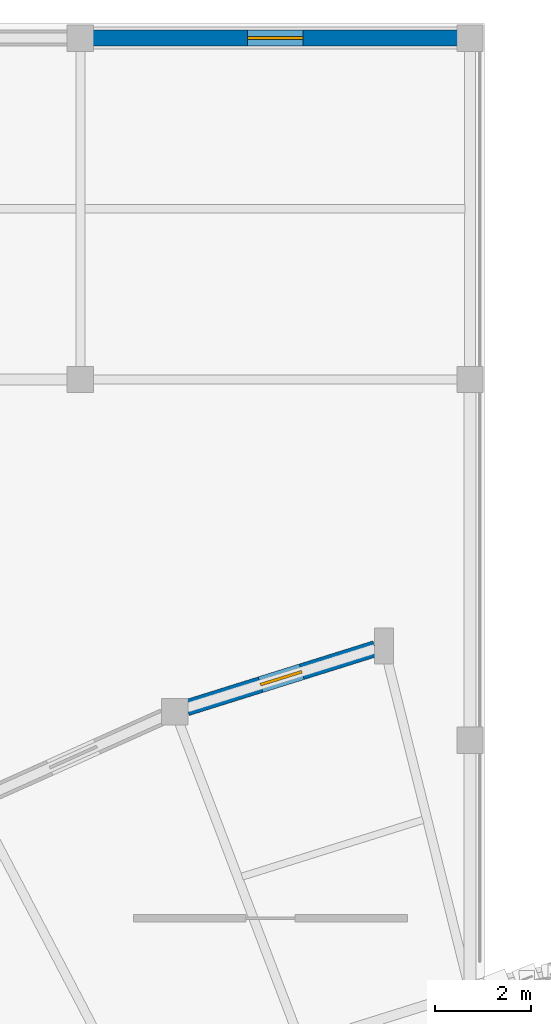
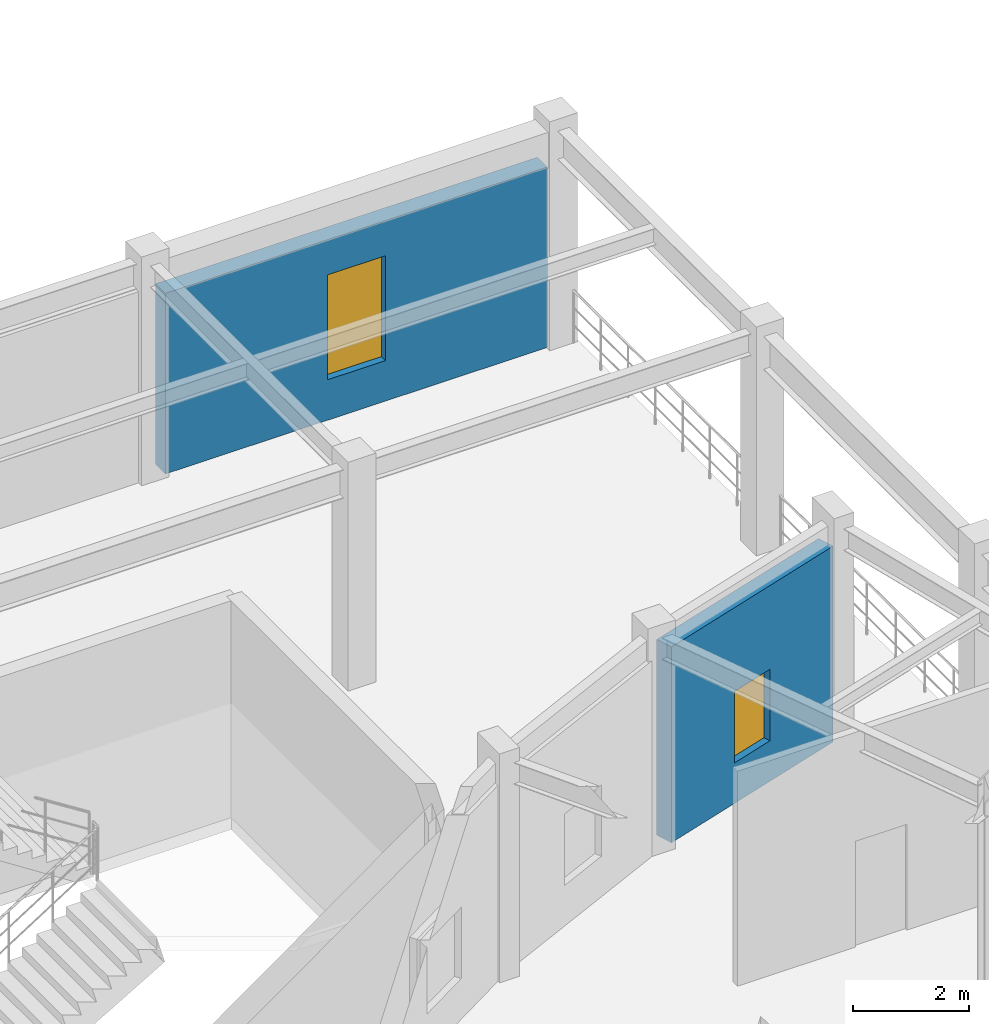
# One storey, part 109 of 144: 2 walls, 2 windows, 2 openings.
"""IFC4 building model written with IfcOpenShell, lengths in metres."""

import ifcopenshell
import ifcopenshell.guid

model = None  # the IFC model being written
_history = None  # IfcOwnerHistory: only IFC2X3 demands one
_inside = {}  # id of a spatial element -> (the spatial element, [elements in it])
_under = {}  # id of a project, library or spatial element -> (it, [spatial elements below it])
_declared = {}  # id of a project -> (the project, [libraries it declares])
_typed = {}  # id of a type object -> (the type object, [elements of that type])
_made_of = {}  # id of a material, layer set ... -> (it, [elements and type objects made of it])


def new_model(schema):
    """Start an empty IFC model of exactly this schema.

    Asked for "IFC4X3", IfcOpenShell would pick the latest addendum, in which some entities
    have other attributes; the version numbers below select the first issue.
    IFC2X3 requires an IfcOwnerHistory on every rooted entity: one is made here for all.
    """
    global model, _history
    if schema == "IFC4X3":
        model = ifcopenshell.file(schema_version=(4, 3, 0, 0))
    else:
        model = ifcopenshell.file(schema=schema)
    _inside.clear()
    _under.clear()
    _declared.clear()
    _typed.clear()
    _made_of.clear()
    _history = None
    if model.schema == "IFC2X3":
        org = make("IfcOrganization", Name="unknown")
        user = make(
            "IfcPersonAndOrganization",
            ThePerson=make("IfcPerson", FamilyName="unknown"),
            TheOrganization=org,
        )
        app = make(
            "IfcApplication",
            ApplicationDeveloper=org,
            Version="unknown",
            ApplicationFullName="unknown",
            ApplicationIdentifier="unknown",
        )
        _history = make(
            "IfcOwnerHistory",
            OwningUser=user,
            OwningApplication=app,
            ChangeAction="ADDED",
            CreationDate=0,
        )
    return model


def make(cls, **values):
    """One entity of the class cls with the attributes given. An attribute that is None is left unset."""
    return model.create_entity(
        cls, **{name: value for name, value in values.items() if value is not None}
    )


def rooted(cls, **values):
    """An entity with a GlobalId (a new one), such as an element, a storey or a relation."""
    return make(cls, GlobalId=ifcopenshell.guid.new(), OwnerHistory=_history, **values)


def si_unit(unit_type, name, prefix=None):
    """IfcSIUnit, for example si_unit("LENGTHUNIT", "METRE", prefix="MILLI")."""
    return make("IfcSIUnit", UnitType=unit_type, Prefix=prefix, Name=name)


def assignment(units):
    """IfcUnitAssignment: the units of a project."""
    return None if units is None else make("IfcUnitAssignment", Units=units)


def point(xyz):
    """IfcCartesianPoint."""
    return None if xyz is None else make("IfcCartesianPoint", Coordinates=xyz)


def direction(xyz):
    """IfcDirection."""
    return None if xyz is None else make("IfcDirection", DirectionRatios=xyz)


def frame(location, z_axis=None, x_axis=None):
    """IfcAxis2Placement3D, a coordinate frame: its origin and axes. An axis left out is left unset."""
    return make(
        "IfcAxis2Placement3D",
        Location=point(location),
        Axis=direction(z_axis),
        RefDirection=direction(x_axis),
    )


def frame_2d(location, x_axis=None):
    """IfcAxis2Placement2D, a coordinate frame in the plane: its origin and x axis."""
    return make(
        "IfcAxis2Placement2D", Location=point(location), RefDirection=direction(x_axis)
    )


def origin():
    """The frame at (0, 0, 0) with its axes left unset."""
    return frame((0.0, 0.0, 0.0))


def place(relative_to, where):
    """IfcLocalPlacement: puts the frame where relative to a parent placement (None: the world)."""
    return make(
        "IfcLocalPlacement", PlacementRelTo=relative_to, RelativePlacement=where
    )


def context(
    kind, dimensions, precision=None, world=None, true_north=None, identifier=None
):
    """IfcGeometricRepresentationContext, for example the 3D "Model" context."""
    return make(
        "IfcGeometricRepresentationContext",
        ContextIdentifier=identifier,
        ContextType=kind,
        CoordinateSpaceDimension=dimensions,
        Precision=precision,
        WorldCoordinateSystem=world,
        TrueNorth=true_north,
    )


def subcontext(parent, identifier, kind, view, scale=None):
    """IfcGeometricRepresentationSubContext, for example "Body" below "Model"."""
    return make(
        "IfcGeometricRepresentationSubContext",
        ContextIdentifier=identifier,
        ContextType=kind,
        ParentContext=parent,
        TargetScale=scale,
        TargetView=view,
    )


def project(units=None, contexts=None):
    """IfcProject with its units and contexts."""
    return rooted(
        "IfcProject",
        Name="project",
        RepresentationContexts=contexts,
        UnitsInContext=assignment(units),
    )


def spatial(cls, under=None, at=None, **own):
    """A site, building, storey or space (cls), placed at a placement, below another one or the project."""
    s = rooted(cls, ObjectPlacement=at, **own)
    if under is not None:
        _under.setdefault(under.id(), (under, []))[1].append(s)
    return s


def profile(cls, at=None, kind="AREA", **sizes):
    """A parametric profile (cls). Its sizes go by their IFC names, for example OverallWidth=200.0."""
    return make(cls, ProfileType=kind, Position=at, **sizes)


def rectangle(**sizes):
    """IfcRectangleProfileDef."""
    return profile("IfcRectangleProfileDef", **sizes)


def extrude(swept, where, along, depth):
    """IfcExtrudedAreaSolid: the profile swept, set in the frame where, extruded along a direction by depth."""
    return make(
        "IfcExtrudedAreaSolid",
        SweptArea=swept,
        Position=where,
        ExtrudedDirection=direction(along),
        Depth=depth,
    )


def shape(context_of_items, identifier, shape_type, items):
    """IfcShapeRepresentation: the items that make up one representation, for example the "Body"."""
    return make(
        "IfcShapeRepresentation",
        ContextOfItems=context_of_items,
        RepresentationIdentifier=identifier,
        RepresentationType=shape_type,
        Items=items,
    )


def material(Name=None, Category=None):
    """IfcMaterial."""
    return make("IfcMaterial", Name=Name, Category=Category)


def layer(
    of_material, thickness, ventilated=None, Name=None, Category=None, Priority=None
):
    """IfcMaterialLayer: one layer of a wall or slab, of a material (None: an air gap)."""
    return make(
        "IfcMaterialLayer",
        Material=of_material,
        LayerThickness=thickness,
        IsVentilated=ventilated,
        Name=Name,
        Category=Category,
        Priority=Priority,
    )


def layer_set(layers, Name=None):
    """IfcMaterialLayerSet."""
    return make("IfcMaterialLayerSet", MaterialLayers=layers, LayerSetName=Name)


def made_of(thing, what):
    """Note that an element or type object is made of a material, layer set ...; save() writes the relation."""
    if what is not None:
        _made_of.setdefault(what.id(), (what, []))[1].append(thing)
    return thing


def type_object(cls, material=None, **own):
    """A type object (cls), such as IfcWallType, which elements share."""
    return made_of(rooted(cls, **own), material)


def element(
    cls,
    number,
    at=None,
    inside=None,
    cuts=None,
    type_object=None,
    material=None,
    context=None,
    identifier="Body",
    shape_type=None,
    held_by="IfcProductDefinitionShape",
    body=None,
    shapes=None,
    **own,
):
    """One element of the class cls, such as IfcWall. Its Tag is "e" and its number.

    at: its placement. inside: the storey or other place that contains it. cuts: it is an
    opening in that element (IfcRelVoidsElement). A single representation is given by context,
    identifier, shape_type and body (its items); several are given by shapes. held_by: the class
    of the entity that holds the representations. save() writes the other relations.
    """
    e = rooted(cls, Tag="e%d" % number, ObjectPlacement=at, **own)
    if body is not None:
        shapes = [shape(context, identifier, shape_type, body)]
    if shapes is not None:
        e.Representation = make(held_by, Representations=shapes)
    if inside is not None:
        _inside.setdefault(inside.id(), (inside, []))[1].append(e)
    if cuts is not None:
        rooted(
            "IfcRelVoidsElement", RelatingBuildingElement=cuts, RelatedOpeningElement=e
        )
    if type_object is not None:
        _typed.setdefault(type_object.id(), (type_object, []))[1].append(e)
    return made_of(e, material)


def fill(opening, filler):
    """IfcRelFillsElement: the door or window that sits in an opening."""
    return rooted(
        "IfcRelFillsElement",
        RelatingOpeningElement=opening,
        RelatedBuildingElement=filler,
    )


def aggregate(whole, parts):
    """IfcRelAggregates: a whole, such as a stair, and the parts it consists of."""
    return rooted("IfcRelAggregates", RelatingObject=whole, RelatedObjects=parts)


def save(model, path):
    """Write the relations noted so far, then the file.

    IfcRelAggregates (storeys below a building ...), IfcRelContainedInSpatialStructure (elements
    in a storey), IfcRelDefinesByType, IfcRelAssociatesMaterial and IfcRelDeclares: one each for
    every whole, place, type object, material and project.
    """
    for whole, parts in _under.values():
        aggregate(whole, parts)
    for where, things in _inside.values():
        rooted(
            "IfcRelContainedInSpatialStructure",
            RelatedElements=things,
            RelatingStructure=where,
        )
    for kind, things in _typed.values():
        rooted("IfcRelDefinesByType", RelatedObjects=things, RelatingType=kind)
    for what, things in _made_of.values():
        rooted("IfcRelAssociatesMaterial", RelatedObjects=things, RelatingMaterial=what)
    for by, libraries in _declared.values():
        rooted("IfcRelDeclares", RelatingContext=by, RelatedDefinitions=libraries)
    model.write(path)


model = new_model("IFC4")

# Units and contexts
model_context = context("Model", 3, precision=1e-05, world=origin(), true_north=direction((0.0, 1.0)))
body_context = subcontext(model_context, "Body", "Model", "MODEL_VIEW")
ifc_project = project(units=[si_unit("LENGTHUNIT", "METRE"), si_unit("AREAUNIT", "SQUARE_METRE"), si_unit("VOLUMEUNIT", "CUBIC_METRE"), si_unit("PLANEANGLEUNIT", "RADIAN"), si_unit("MASSUNIT", "GRAM", prefix="KILO")], contexts=[model_context])

# Site, building, storey
site_placement = place(None, origin())
site = spatial("IfcSite", under=ifc_project, at=site_placement, CompositionType="ELEMENT")
building_placement = place(site_placement, origin())
building = spatial("IfcBuilding", under=site, at=building_placement, Name="Cinderbank Siding Concert Hall", CompositionType="ELEMENT")
storey_placement = place(building_placement, frame((0.0, 0.0, 5.39990234375)))
storey = spatial("IfcBuildingStorey", under=building, at=storey_placement, Name="L02", CompositionType="ELEMENT", Elevation=5.39990234375)

# Wall, opening, window
ifc_material_1 = material(Name="Clinker clay brickwork masonry AS 3700 (20 MPa)", Category="masonry")
ifc_layer = layer(ifc_material_1, 0.340087890625)
ifc_layer_set = layer_set([ifc_layer], Name="Clinker clay brickwork masonry AS 3700 (20 MPa)")
wall_type = type_object("IfcWallType", Name="WL-07 Exterior Wall 340mm", PredefinedType="STANDARD", material=ifc_layer_set)
wall_1_placement = place(storey_placement, frame((46.53369140625, 105.2041015625, 0.0), z_axis=(0.0, 0.0, 1.0), x_axis=(-0.954237600376, -0.299049497622, 0.0)))
wall_1 = element("IfcWall", 1, at=wall_1_placement, inside=storey, type_object=wall_type, Name="L02 Facade Wall EW-WOUT-L02-01", PredefinedType="STANDARD", context=body_context, shape_type="SweptSolid", body=[
    extrude(rectangle(XDim=4.109619140625, YDim=0.340087890625, at=frame_2d((2.0546875, 0.0))), origin(), (0.0, 0.0, 1.0), 4.107177734375),
])
opening_1_placement = place(wall_1_placement, frame((1.60498046875, 0.0, 0.85009765625)))
opening_1 = element("IfcOpeningElement", 2, at=opening_1_placement, cuts=wall_1, Name="Opening WN-25", PredefinedType="OPENING", context=body_context, shape_type="SweptSolid", body=[
    extrude(rectangle(XDim=0.89990234375, YDim=1.5, at=frame_2d((0.449951171875, 0.75))), frame((0.0, 0.18212890625, 0.0), z_axis=(0.0, -1.0, 0.0), x_axis=(1.0, 0.0, 0.0)), (0.0, 0.0, 1.0), 0.364013671875),
])
ifc_material_2 = material(Name="Double-glazed laminated acoustic glass", Category="glass")
window_type_1 = type_object("IfcWindowType", Name="WN-25 Acoustic Casement Window 900x1500", PartitioningType="DOUBLE_PANEL_VERTICAL", PredefinedType="WINDOW", material=ifc_material_2)
window_1_placement = place(opening_1_placement, origin())
window_1 = element("IfcWindow", 3, at=window_1_placement, inside=storey, type_object=window_type_1, Name="L02 Facade Window #11", OverallHeight=1.5, OverallWidth=0.89990234375, PartitioningType="DOUBLE_PANEL_VERTICAL", PredefinedType="WINDOW", context=body_context, shape_type="SweptSolid", body=[
    extrude(rectangle(XDim=0.89990234375, YDim=1.5, at=frame_2d((0.449951171875, 0.75))), frame((0.0, 0.030029296875, 0.0), z_axis=(0.0, -1.0, 0.0), x_axis=(1.0, 0.0, 0.0)), (0.0, 0.0, 1.0), 0.06005859375),
])
fill(opening_1, window_1)

wall_2_placement = place(storey_placement, frame((40.659912109375, 117.89990234375, 0.0), z_axis=(0.0, 0.0, 1.0), x_axis=(1.0, 0.0, 0.0)))
wall_2 = element("IfcWall", 4, at=wall_2_placement, inside=storey, type_object=wall_type, Name="L02 Facade Wall EW-NW-N3-L02", PredefinedType="STANDARD", context=body_context, shape_type="SweptSolid", body=[
    extrude(rectangle(XDim=7.580078125, YDim=0.340087890625, at=frame_2d((3.7900390625, 0.0))), origin(), (0.0, 0.0, 1.0), 3.787109375),
])
opening_2_placement = place(wall_2_placement, frame((3.215087890625, 0.0, 0.85009765625)))
opening_2 = element("IfcOpeningElement", 5, at=opening_2_placement, cuts=wall_2, Name="Opening WN-04", PredefinedType="OPENING", context=body_context, shape_type="SweptSolid", body=[
    extrude(rectangle(XDim=1.14990234375, YDim=2.199951171875, at=frame_2d((0.574951171875, 1.10009765625))), frame((0.0, 0.18212890625, 0.0), z_axis=(0.0, -1.0, 0.0), x_axis=(1.0, 0.0, 0.0)), (0.0, 0.0, 1.0), 0.364013671875),
])
window_type_2 = type_object("IfcWindowType", Name="WN-04 Acoustic Casement Window 1150x2200", PartitioningType="DOUBLE_PANEL_VERTICAL", PredefinedType="WINDOW", material=ifc_material_2)
window_2_placement = place(opening_2_placement, origin())
window_2 = element("IfcWindow", 6, at=window_2_placement, inside=storey, type_object=window_type_2, Name="L02 Facade Window #142", OverallHeight=2.199951171875, OverallWidth=1.14990234375, PartitioningType="DOUBLE_PANEL_VERTICAL", PredefinedType="WINDOW", context=body_context, shape_type="SweptSolid", body=[
    extrude(rectangle(XDim=1.14990234375, YDim=2.199951171875, at=frame_2d((0.574951171875, 1.10009765625))), frame((0.0, 0.030029296875, 0.0), z_axis=(0.0, -1.0, 0.0), x_axis=(1.0, 0.0, 0.0)), (0.0, 0.0, 1.0), 0.06005859375),
])
fill(opening_2, window_2)

save(model, "model.ifc")
